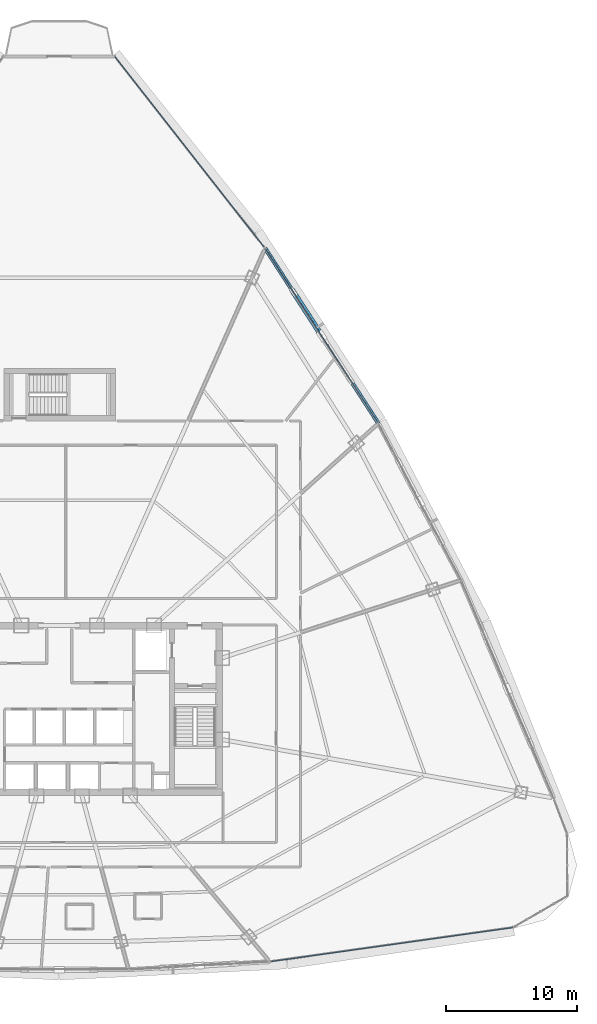
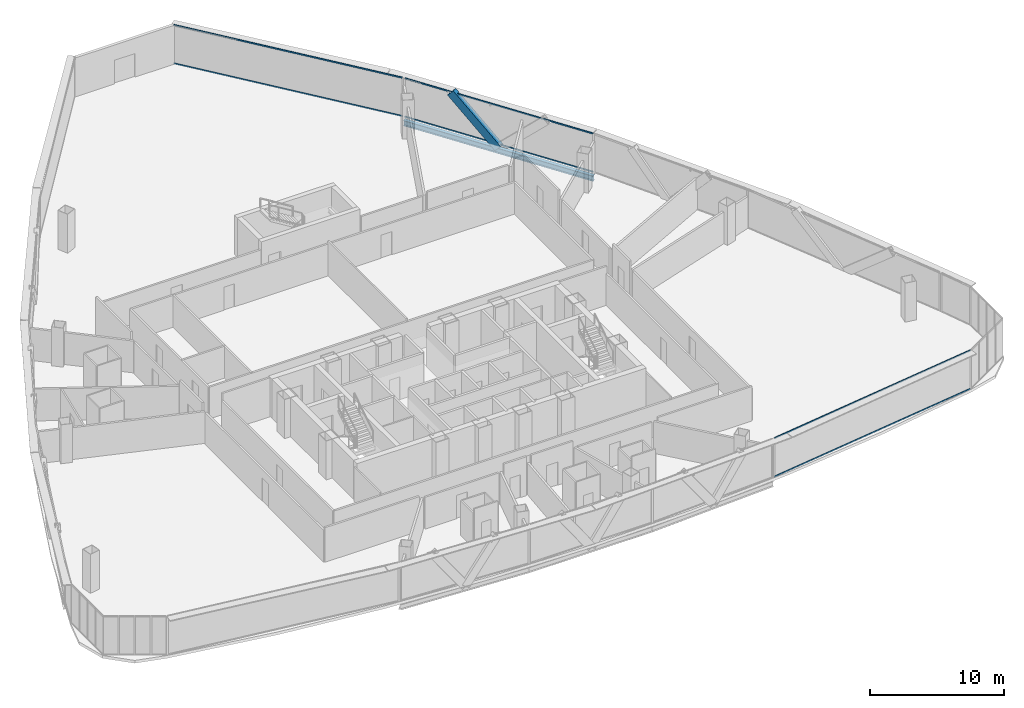
# One storey, part 23 of 40: 7 members, 1 beam, 3 elements without a shape of their own.
"""IFC4 building model written with IfcOpenShell, lengths in metres."""

from ifc_helpers import new_model, si_unit, direction, frame, origin, origin_2d, place, context, subcontext, project, spatial, hollow_rectangle, i_section, extrude, source, transform, mapped, material, layer, layer_set, material_profile, profile_set, type_object, element, aggregate, save


model = new_model("IFC4")

# Units and contexts
model_context = context("Model", 3, precision=1e-05, world=origin(), true_north=direction((0.0, 1.0)))
body_context = subcontext(model_context, "Body", "Model", "MODEL_VIEW")
ifc_project = project(units=[si_unit("LENGTHUNIT", "METRE"), si_unit("AREAUNIT", "SQUARE_METRE"), si_unit("VOLUMEUNIT", "CUBIC_METRE"), si_unit("PLANEANGLEUNIT", "RADIAN"), si_unit("MASSUNIT", "GRAM", prefix="KILO"), si_unit("THERMODYNAMICTEMPERATUREUNIT", "KELVIN"), si_unit("POWERUNIT", "WATT")], contexts=[model_context])

# Site, building, storey
site_placement = place(None, origin())
site = spatial("IfcSite", under=ifc_project, at=site_placement, CompositionType="ELEMENT")
building_placement = place(site_placement, origin())
building = spatial("IfcBuilding", under=site, at=building_placement, Name="Yunzhuo Pagoda Commons", CompositionType="ELEMENT")
storey_placement = place(building_placement, frame((0.0, 0.0, 184.760009765625)))
storey = spatial("IfcBuildingStorey", under=building, at=storey_placement, Name="L46", CompositionType="ELEMENT", Elevation=184.760009765625)

# Beam
ifc_material_1 = material(Name="Structural steel Q355B", Category="steel")
ifc_material_profile_1 = material_profile(ifc_material_1, i_section(OverallWidth=0.300048828125, OverallDepth=0.488037109375, WebThickness=0.010986328125, FlangeThickness=0.01806640625, at=origin_2d()), Name="Structural steel Q355B")
ifc_profile_set_1 = profile_set([ifc_material_profile_1], Name="Structural steel Q355B")
beam_type = type_object("IfcBeamType", Name="B-SP1 Beam HM 488x300x11x18", PredefinedType="BEAM", material=ifc_profile_set_1)
shared_shape_1 = source(origin(), body_context, "Body", "SweptSolid", [
    extrude(i_section(OverallWidth=0.300048828125, OverallDepth=0.488037109375, WebThickness=0.010986328125, FlangeThickness=0.01806640625, at=origin_2d()), origin(), (0.0, 0.0, 1.0), 15.899169921875),
])
beam_placement = place(storey_placement, frame((72.33544921875, 55.61181640625, -0.503662109375), z_axis=(-0.543169779139, 0.8396228862, 0.0), x_axis=(-0.8396228862, -0.543169779139, 0.0)))
element("IfcBeam", 1, at=beam_placement, inside=storey, type_object=beam_type, Name="L46 facade edge spandrel beam F2.3", PredefinedType="BEAM", context=body_context, shape_type="MappedRepresentation", body=[
    mapped(shared_shape_1, transform((0.0, 0.0, 0.0), scale=1.0)),
])

# Member
ifc_material_profile_2 = material_profile(ifc_material_1, hollow_rectangle(XDim=0.39990234375, YDim=0.719970703125, WallThickness=0.02392578125, at=origin_2d()), Name="Structural steel Q355B")
ifc_profile_set_2 = profile_set([ifc_material_profile_2], Name="Structural steel Q355B")
member_type_1 = type_object("IfcMemberType", Name="M-DL2 Brace BOX 720x400x24", PredefinedType="BRACE", material=ifc_profile_set_2)
shared_shape_2 = source(origin(), body_context, "Body", "SweptSolid", [
    extrude(hollow_rectangle(XDim=0.39990234375, YDim=0.719970703125, WallThickness=0.02392578125, at=origin_2d()), origin(), (0.0, 0.0, 1.0), 5.4990234375),
])
member_1_placement = place(storey_placement, frame((68.017333984375, 62.28662109375, -0.260009765625), z_axis=(-0.392611625569, 0.606876434458, 0.691055066379), x_axis=(-0.839616297671, -0.543179963443, 0.0)))
element("IfcMember", 2, at=member_1_placement, inside=storey, type_object=member_type_1, Name="L46 facade diamond brace F2.3R", PredefinedType="BRACE", context=body_context, shape_type="MappedRepresentation", body=[
    mapped(shared_shape_2, transform((0.0, 0.0, 0.0), scale=1.0)),
])

# Curtain wall, members
ifc_material_2 = material(Name="Anodized aluminium 6063-T6", Category="aluminium")
ifc_layer = layer(ifc_material_2, 0.14990234375)
ifc_layer_set = layer_set([ifc_layer], Name="Anodized aluminium 6063-T6")
curtain_wall_type = type_object("IfcCurtainWallType", Name="CW-MID Mid-Zone Ribbon Curtain Wall", PredefinedType="NOTDEFINED", material=ifc_layer_set)
curtain_wall_1_placement = place(storey_placement, origin())
curtain_wall_1 = element("IfcCurtainWall", 3, at=curtain_wall_1_placement, inside=storey, type_object=curtain_wall_type, Name="L46 curtain wall CW-L46-F1B5", PredefinedType="NOTDEFINED")
ifc_material_profile_3 = material_profile(ifc_material_2, hollow_rectangle(XDim=0.054931640625, YDim=0.1298828125, WallThickness=0.00341796875, at=origin_2d()), Name="Anodized aluminium 6063-T6")
ifc_profile_set_3 = profile_set([ifc_material_profile_3], Name="Anodized aluminium 6063-T6")
member_type_2 = type_object("IfcMemberType", Name="CW-MID-T Transom RHS 130x55x3.5", PredefinedType="USERDEFINED", material=ifc_profile_set_3)
shared_shape_3 = source(origin(), body_context, "Body", "SweptSolid", [
    extrude(hollow_rectangle(XDim=0.054931640625, YDim=0.1298828125, WallThickness=0.00341796875, at=origin_2d()), origin(), (0.0, 0.0, 1.0), 18.564453125),
])
member_2_placement = place(storey_placement, frame((64.18115234375, 14.59423828125, 0.027587890625), z_axis=(0.990260063852, 0.139230046827, 0.0), x_axis=(-0.139230046827, 0.990260063852, 0.0)))
member_2 = element("IfcMember", 4, at=member_2_placement, type_object=member_type_2, Name="CW transom 1.1", ObjectType="TRANSOM", PredefinedType="USERDEFINED", context=body_context, shape_type="MappedRepresentation", body=[
    mapped(shared_shape_3, transform((0.0, 0.0, 0.0), scale=1.0)),
])
member_3_placement = place(storey_placement, frame((64.18115234375, 14.59423828125, 3.512451171875), z_axis=(0.990260063852, 0.139230046827, 0.0), x_axis=(-0.139230046827, 0.990260063852, 0.0)))
member_3 = element("IfcMember", 5, at=member_3_placement, type_object=member_type_2, Name="CW transom 1.2", ObjectType="TRANSOM", PredefinedType="USERDEFINED", context=body_context, shape_type="MappedRepresentation", body=[
    mapped(shared_shape_3, transform((0.0, 0.0, 0.0), scale=1.0)),
])
aggregate(curtain_wall_1, [member_2, member_3])

curtain_wall_2_placement = place(storey_placement, origin())
curtain_wall_2 = element("IfcCurtainWall", 6, at=curtain_wall_2_placement, inside=storey, type_object=curtain_wall_type, Name="L46 curtain wall CW-L46-F2B4", PredefinedType="NOTDEFINED")
shared_shape_4 = source(origin(), body_context, "Body", "SweptSolid", [
    extrude(hollow_rectangle(XDim=0.054931640625, YDim=0.1298828125, WallThickness=0.00341796875, at=origin_2d()), origin(), (0.0, 0.0, 1.0), 15.779296875),
])
member_4_placement = place(storey_placement, frame((72.302734375, 55.662109375, 0.027587890625), z_axis=(-0.543164669064, 0.839626191993, 0.0), x_axis=(-0.839626191993, -0.543164669064, 0.0)))
member_4 = element("IfcMember", 7, at=member_4_placement, type_object=member_type_2, Name="CW transom 1.1", ObjectType="TRANSOM", PredefinedType="USERDEFINED", context=body_context, shape_type="MappedRepresentation", body=[
    mapped(shared_shape_4, transform((0.0, 0.0, 0.0), scale=1.0)),
])
member_5_placement = place(storey_placement, frame((72.302734375, 55.662109375, 3.512451171875), z_axis=(-0.543164669064, 0.839626191993, 0.0), x_axis=(-0.839626191993, -0.543164669064, 0.0)))
member_5 = element("IfcMember", 8, at=member_5_placement, type_object=member_type_2, Name="CW transom 1.2", ObjectType="TRANSOM", PredefinedType="USERDEFINED", context=body_context, shape_type="MappedRepresentation", body=[
    mapped(shared_shape_4, transform((0.0, 0.0, 0.0), scale=1.0)),
])
aggregate(curtain_wall_2, [member_4, member_5])

curtain_wall_3_placement = place(storey_placement, origin())
curtain_wall_3 = element("IfcCurtainWall", 9, at=curtain_wall_3_placement, inside=storey, type_object=curtain_wall_type, Name="L46 curtain wall CW-L46-F2B5", PredefinedType="NOTDEFINED")
shared_shape_5 = source(origin(), body_context, "Body", "SweptSolid", [
    extrude(hollow_rectangle(XDim=0.054931640625, YDim=0.1298828125, WallThickness=0.00341796875, at=origin_2d()), origin(), (0.0, 0.0, 1.0), 18.384765625),
])
member_6_placement = place(storey_placement, frame((63.615966796875, 69.067626953125, 0.027587890625), z_axis=(-0.617021275129, 0.786946469614, 0.0), x_axis=(-0.786946469614, -0.617021275129, 0.0)))
member_6 = element("IfcMember", 10, at=member_6_placement, type_object=member_type_2, Name="CW transom 1.1", ObjectType="TRANSOM", PredefinedType="USERDEFINED", context=body_context, shape_type="MappedRepresentation", body=[
    mapped(shared_shape_5, transform((0.0, 0.0, 0.0), scale=1.0)),
])
member_7_placement = place(storey_placement, frame((63.615966796875, 69.067626953125, 3.512451171875), z_axis=(-0.617021275129, 0.786946469614, 0.0), x_axis=(-0.786946469614, -0.617021275129, 0.0)))
member_7 = element("IfcMember", 11, at=member_7_placement, type_object=member_type_2, Name="CW transom 1.2", ObjectType="TRANSOM", PredefinedType="USERDEFINED", context=body_context, shape_type="MappedRepresentation", body=[
    mapped(shared_shape_5, transform((0.0, 0.0, 0.0), scale=1.0)),
])
aggregate(curtain_wall_3, [member_6, member_7])

save(model, "model.ifc")
